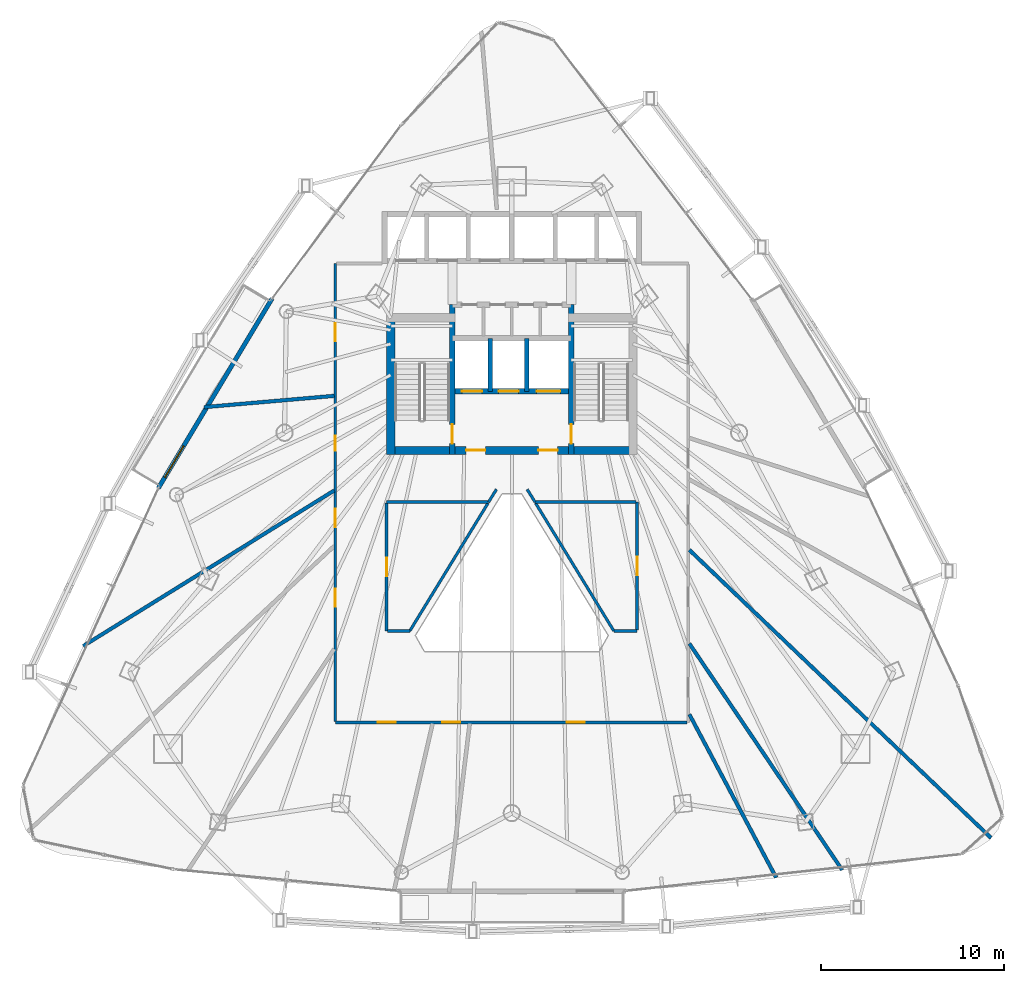
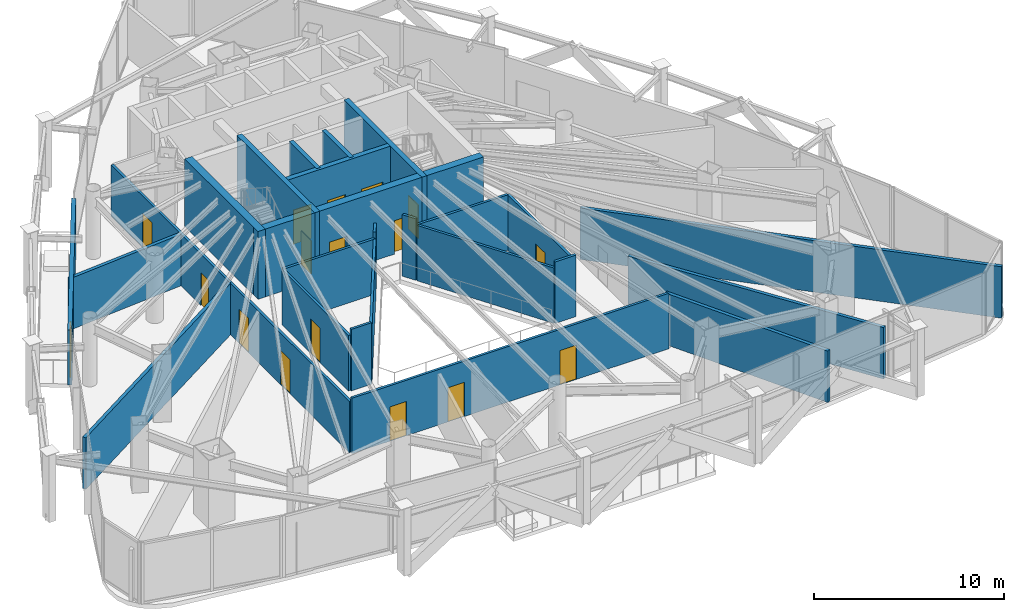
# One storey, part 28 of 33: 25 walls, 17 doors, 17 openings.
"""IFC4 building model written with IfcOpenShell, lengths in metres."""

from ifc_helpers import new_model, si_unit, direction, frame, frame_2d, origin, place, context, subcontext, project, spatial, rectangle, extrude, material, layer, layer_set, type_object, element, fill, save


model = new_model("IFC4")

# Units and contexts
model_context = context("Model", 3, precision=1e-05, world=origin(), true_north=direction((0.0, 1.0)))
body_context = subcontext(model_context, "Body", "Model", "MODEL_VIEW")
ifc_project = project(units=[si_unit("LENGTHUNIT", "METRE"), si_unit("AREAUNIT", "SQUARE_METRE"), si_unit("VOLUMEUNIT", "CUBIC_METRE"), si_unit("PLANEANGLEUNIT", "RADIAN"), si_unit("MASSUNIT", "GRAM", prefix="KILO")], contexts=[model_context])

# Site, building, storey
site_placement = place(None, origin())
site = spatial("IfcSite", under=ifc_project, at=site_placement, CompositionType="ELEMENT")
building_placement = place(site_placement, origin())
building = spatial("IfcBuilding", under=site, at=building_placement, Name="Orvanel Arch Residences", CompositionType="ELEMENT")
storey_placement = place(building_placement, frame((0.0, 0.0, 97.25)))
storey = spatial("IfcBuildingStorey", under=building, at=storey_placement, Name="L27", CompositionType="ELEMENT", Elevation=97.25)

# Wall, opening, door
ifc_material_1 = material(Name="Precast concrete N50 (50 MPa)", Category="concrete")
ifc_layer_1 = layer(ifc_material_1, 0.239990234375)
ifc_layer_set_1 = layer_set([ifc_layer_1], Name="Precast concrete N50 (50 MPa)")
wall_type_1 = type_object("IfcWallType", Name="EW-BAL-240", PredefinedType="SOLIDWALL", material=ifc_layer_set_1)
wall_1_placement = place(storey_placement, frame((19.886962890625, 34.97802734375, 0.0), z_axis=(0.0, 0.0, 1.0), x_axis=(-0.514356228613, -0.857576626365, 0.0)))
wall_1 = element("IfcWall", 1, at=wall_1_placement, inside=storey, type_object=wall_type_1, Name="L27 Balcony Threshold Wall Face 1", PredefinedType="SOLIDWALL", context=body_context, shape_type="SweptSolid", body=[
    extrude(rectangle(XDim=12.0947265625, YDim=0.239990234375, at=frame_2d((6.04736328125, 0.0))), origin(), (0.0, 0.0, 1.0), 3.513916015625),
])
opening_1_placement = place(wall_1_placement, frame((9.39697265625, 0.0, 0.0)))
opening_1 = element("IfcOpeningElement", 2, at=opening_1_placement, cuts=wall_1, Name="Opening DT-200", PredefinedType="OPENING", context=body_context, shape_type="SweptSolid", body=[
    extrude(rectangle(XDim=2.0, YDim=2.199951171875, at=frame_2d((1.0, 1.10009765625))), frame((0.0, 0.1298828125, 0.0), z_axis=(0.0, -1.0, 0.0), x_axis=(1.0, 0.0, 0.0)), (0.0, 0.0, 1.0), 0.260009765625),
])
ifc_material_2 = material(Name="Bronze-anodised aluminium AA6063-T6", Category="aluminium")
door_type_1 = type_object("IfcDoorType", Name="DR-TER-2000", OperationType="NOTDEFINED", PredefinedType="DOOR", material=ifc_material_2)
door_1_placement = place(opening_1_placement, origin())
door_1 = element("IfcDoor", 3, at=door_1_placement, inside=storey, type_object=door_type_1, Name="DR-L27-BAL-F1 L27 Planted Balcony Access Door Face 1", OperationType="SINGLE_SWING_LEFT", OverallHeight=2.199951171875, OverallWidth=2.0, PredefinedType="DOOR", context=body_context, shape_type="SweptSolid", body=[
    extrude(rectangle(XDim=2.0, YDim=2.199951171875, at=frame_2d((1.0, 1.10009765625))), frame((0.0, 0.02490234375, 0.0), z_axis=(0.0, -1.0, 0.0), x_axis=(1.0, 0.0, 0.0)), (0.0, 0.0, 1.0), 0.050048828125),
])
fill(opening_1, door_1)

# Walls
ifc_material_3 = material(Name="Concrete N50 (50 MPa)", Category="concrete")
ifc_layer_2 = layer(ifc_material_3, 0.25)
ifc_layer_set_2 = layer_set([ifc_layer_2], Name="Concrete N50 (50 MPa)")
wall_type_2 = type_object("IfcWallType", Name="SW-CORE-250", PredefinedType="SHEAR", material=ifc_layer_set_2)
for number, where, z_axis, x_axis, name in (
    (4, (31.824951171875, 29.89990234375, 0.0), (0.0, 0.0, 1.0), (0.0, 1.0, 0.0), "L27 Emergency Lift Inter-Shaft Wall F12"),
    (5, (33.824951171875, 29.89990234375, 0.0), (0.0, 0.0, 1.0), (0.0, 1.0, 0.0), "L27 Emergency Lift Inter-Shaft Wall F2G"),
):
    element("IfcWall", number, at=place(storey_placement, frame(where, z_axis=z_axis, x_axis=x_axis)), inside=storey, type_object=wall_type_2, Name=name, PredefinedType="SHEAR", context=body_context, shape_type="SweptSolid", body=[
        extrude(rectangle(XDim=2.900146484375, YDim=0.25, at=frame_2d((1.4501953125, 0.0))), origin(), (0.0, 0.0, 1.0), 4.35009765625),
    ])

# Wall, opening, door
ifc_material_4 = material(Name="Concrete S80 (80 MPa)", Category="concrete")
ifc_layer_3 = layer(ifc_material_4, 0.300048828125)
ifc_layer_set_3 = layer_set([ifc_layer_3], Name="Concrete S80 (80 MPa)")
wall_type_3 = type_object("IfcWallType", Name="SW-CORE-300", PredefinedType="SHEAR", material=ifc_layer_set_3)
wall_2_placement = place(storey_placement, frame((29.75, 26.449951171875, 0.0), z_axis=(0.0, 0.0, 1.0), x_axis=(0.0, 1.0, 0.0)))
wall_2 = element("IfcWall", 6, at=wall_2_placement, inside=storey, type_object=wall_type_3, Name="L27 West Inner Core Spine Shear Wall", PredefinedType="SHEAR", context=body_context, shape_type="SweptSolid", body=[
    extrude(rectangle(XDim=8.199951171875, YDim=0.300048828125, at=frame_2d((4.10009765625, 0.0))), origin(), (0.0, 0.0, 1.0), 4.35009765625),
])
opening_2_placement = place(wall_2_placement, frame((0.60009765625, 0.0, 0.0)))
opening_2 = element("IfcOpeningElement", 7, at=opening_2_placement, cuts=wall_2, Name="Opening DF-120", PredefinedType="OPENING", context=body_context, shape_type="SweptSolid", body=[
    extrude(rectangle(XDim=1.050048828125, YDim=2.14990234375, at=frame_2d((0.52490234375, 1.074951171875))), frame((0.0, 0.159912109375, 0.0), z_axis=(0.0, -1.0, 0.0), x_axis=(1.0, 0.0, 0.0)), (0.0, 0.0, 1.0), 0.320068359375),
])
ifc_material_5 = material(Name="Galvanised steel fire-resisting door assembly", Category="steel")
door_type_2 = type_object("IfcDoorType", Name="DR-FD120-1050", OperationType="NOTDEFINED", PredefinedType="DOOR", material=ifc_material_5)
door_2_placement = place(opening_2_placement, origin())
door_2 = element("IfcDoor", 8, at=door_2_placement, inside=storey, type_object=door_type_2, Name="DR-L27-ST1 L27 Stair 1 Fire Door", OperationType="SINGLE_SWING_LEFT", OverallHeight=2.14990234375, OverallWidth=1.050048828125, PredefinedType="DOOR", context=body_context, shape_type="SweptSolid", body=[
    extrude(rectangle(XDim=1.050048828125, YDim=2.14990234375, at=frame_2d((0.52490234375, 1.074951171875))), frame((0.0, 0.02490234375, 0.0), z_axis=(0.0, -1.0, 0.0), x_axis=(1.0, 0.0, 0.0)), (0.0, 0.0, 1.0), 0.050048828125),
])
fill(opening_2, door_2)

wall_3_placement = place(storey_placement, frame((36.25, 26.449951171875, 0.0), z_axis=(0.0, 0.0, 1.0), x_axis=(0.0, 1.0, 0.0)))
wall_3 = element("IfcWall", 9, at=wall_3_placement, inside=storey, type_object=wall_type_3, Name="L27 East Inner Core Spine Shear Wall", PredefinedType="SHEAR", context=body_context, shape_type="SweptSolid", body=[
    extrude(rectangle(XDim=8.199951171875, YDim=0.300048828125, at=frame_2d((4.10009765625, 0.0))), origin(), (0.0, 0.0, 1.0), 4.35009765625),
])
opening_3_placement = place(wall_3_placement, frame((0.60009765625, 0.0, 0.0)))
opening_3 = element("IfcOpeningElement", 10, at=opening_3_placement, cuts=wall_3, Name="Opening DF-120", PredefinedType="OPENING", context=body_context, shape_type="SweptSolid", body=[
    extrude(rectangle(XDim=1.050048828125, YDim=2.14990234375, at=frame_2d((0.52490234375, 1.074951171875))), frame((0.0, 0.159912109375, 0.0), z_axis=(0.0, -1.0, 0.0), x_axis=(1.0, 0.0, 0.0)), (0.0, 0.0, 1.0), 0.320068359375),
])
door_3_placement = place(opening_3_placement, origin())
door_3 = element("IfcDoor", 11, at=door_3_placement, inside=storey, type_object=door_type_2, Name="DR-L27-ST2 L27 Stair 2 Fire Door", OperationType="SINGLE_SWING_RIGHT", OverallHeight=2.14990234375, OverallWidth=1.050048828125, PredefinedType="DOOR", context=body_context, shape_type="SweptSolid", body=[
    extrude(rectangle(XDim=1.050048828125, YDim=2.14990234375, at=frame_2d((0.52490234375, 1.074951171875))), frame((0.0, 0.02490234375, 0.0), z_axis=(0.0, -1.0, 0.0), x_axis=(1.0, 0.0, 0.0)), (0.0, 0.0, 1.0), 0.050048828125),
])
fill(opening_3, door_3)

# Wall, openings, doors
wall_4_placement = place(storey_placement, frame((36.25, 29.89990234375, 0.0), z_axis=(0.0, 0.0, 1.0), x_axis=(-1.0, 0.0, 0.0)))
wall_4 = element("IfcWall", 12, at=wall_4_placement, inside=storey, type_object=wall_type_3, Name="L27 Emergency Lift Front Core Shear Wall", PredefinedType="SHEAR", context=body_context, shape_type="SweptSolid", body=[
    extrude(rectangle(XDim=6.5, YDim=0.300048828125, at=frame_2d((3.25, 0.0))), origin(), (0.0, 0.0, 1.0), 4.35009765625),
])
opening_4_placement = place(wall_4_placement, frame((4.875, 0.0, 0.0)))
opening_4 = element("IfcOpeningElement", 13, at=opening_4_placement, cuts=wall_4, Name="Opening LD-110", PredefinedType="OPENING", context=body_context, shape_type="SweptSolid", body=[
    extrude(rectangle(XDim=1.10009765625, YDim=2.199951171875, at=frame_2d((0.550048828125, 1.10009765625))), frame((0.0, 0.159912109375, 0.0), z_axis=(0.0, -1.0, 0.0), x_axis=(1.0, 0.0, 0.0)), (0.0, 0.0, 1.0), 0.320068359375),
])
opening_5_placement = place(wall_4_placement, frame((2.875, 0.0, 0.0)))
opening_5 = element("IfcOpeningElement", 14, at=opening_5_placement, cuts=wall_4, Name="Opening LD-110", PredefinedType="OPENING", context=body_context, shape_type="SweptSolid", body=[
    extrude(rectangle(XDim=1.10009765625, YDim=2.199951171875, at=frame_2d((0.550048828125, 1.10009765625))), frame((0.0, 0.159912109375, 0.0), z_axis=(0.0, -1.0, 0.0), x_axis=(1.0, 0.0, 0.0)), (0.0, 0.0, 1.0), 0.320068359375),
])
opening_6_placement = place(wall_4_placement, frame((0.60009765625, 0.0, 0.0)))
opening_6 = element("IfcOpeningElement", 15, at=opening_6_placement, cuts=wall_4, Name="Opening LD-130", PredefinedType="OPENING", context=body_context, shape_type="SweptSolid", body=[
    extrude(rectangle(XDim=1.300048828125, YDim=2.199951171875, at=frame_2d((0.64990234375, 1.10009765625))), frame((0.0, 0.159912109375, 0.0), z_axis=(0.0, -1.0, 0.0), x_axis=(1.0, 0.0, 0.0)), (0.0, 0.0, 1.0), 0.320068359375),
])
door_type_3 = type_object("IfcDoorType", Name="DR-LFT-1100", OperationType="NOTDEFINED", PredefinedType="DOOR", material=ifc_material_5)
door_4_placement = place(opening_4_placement, origin())
door_4 = element("IfcDoor", 16, at=door_4_placement, inside=storey, type_object=door_type_3, Name="LD-F1-L27 L27 Lift F1 Sliding Landing Door", OperationType="DOUBLE_DOOR_SLIDING", OverallHeight=2.199951171875, OverallWidth=1.10009765625, PredefinedType="DOOR", context=body_context, shape_type="SweptSolid", body=[
    extrude(rectangle(XDim=1.10009765625, YDim=2.199951171875, at=frame_2d((0.550048828125, 1.10009765625))), frame((0.0, 0.02490234375, 0.0), z_axis=(0.0, -1.0, 0.0), x_axis=(1.0, 0.0, 0.0)), (0.0, 0.0, 1.0), 0.050048828125),
])
fill(opening_4, door_4)
door_5_placement = place(opening_5_placement, origin())
door_5 = element("IfcDoor", 17, at=door_5_placement, inside=storey, type_object=door_type_3, Name="LD-F2-L27 L27 Lift F2 Sliding Landing Door", OperationType="DOUBLE_DOOR_SLIDING", OverallHeight=2.199951171875, OverallWidth=1.10009765625, PredefinedType="DOOR", context=body_context, shape_type="SweptSolid", body=[
    extrude(rectangle(XDim=1.10009765625, YDim=2.199951171875, at=frame_2d((0.550048828125, 1.10009765625))), frame((0.0, 0.02490234375, 0.0), z_axis=(0.0, -1.0, 0.0), x_axis=(1.0, 0.0, 0.0)), (0.0, 0.0, 1.0), 0.050048828125),
])
fill(opening_5, door_5)
door_type_4 = type_object("IfcDoorType", Name="DR-LFT-1300", OperationType="NOTDEFINED", PredefinedType="DOOR", material=ifc_material_5)
door_6_placement = place(opening_6_placement, origin())
door_6 = element("IfcDoor", 18, at=door_6_placement, inside=storey, type_object=door_type_4, Name="LD-G1-L27 L27 Lift G1 Sliding Landing Door", OperationType="DOUBLE_DOOR_SLIDING", OverallHeight=2.199951171875, OverallWidth=1.300048828125, PredefinedType="DOOR", context=body_context, shape_type="SweptSolid", body=[
    extrude(rectangle(XDim=1.300048828125, YDim=2.199951171875, at=frame_2d((0.64990234375, 1.10009765625))), frame((0.0, 0.02490234375, 0.0), z_axis=(0.0, -1.0, 0.0), x_axis=(1.0, 0.0, 0.0)), (0.0, 0.0, 1.0), 0.050048828125),
])
fill(opening_6, door_6)

ifc_layer_4 = layer(ifc_material_4, 0.449951171875)
ifc_layer_set_4 = layer_set([ifc_layer_4], Name="Concrete S80 (80 MPa)")
wall_type_4 = type_object("IfcWallType", Name="SW-CORE-450", PredefinedType="SHEAR", material=ifc_layer_set_4)
wall_5_placement = place(storey_placement, frame((26.14990234375, 26.675048828125, 0.0), z_axis=(0.0, 0.0, 1.0), x_axis=(1.0, 0.0, 0.0)))
wall_5 = element("IfcWall", 19, at=wall_5_placement, inside=storey, type_object=wall_type_4, Name="L27 South Core Shear Wall", PredefinedType="SHEAR", context=body_context, shape_type="SweptSolid", body=[
    extrude(rectangle(XDim=13.7001953125, YDim=0.449951171875, at=frame_2d((6.85009765625, 0.0))), origin(), (0.0, 0.0, 1.0), 4.35009765625),
])
opening_7_placement = place(wall_5_placement, frame((4.35009765625, 0.0, 0.0)))
opening_7 = element("IfcOpeningElement", 20, at=opening_7_placement, cuts=wall_5, Name="Opening DF-060", PredefinedType="OPENING", context=body_context, shape_type="SweptSolid", body=[
    extrude(rectangle(XDim=1.050048828125, YDim=2.14990234375, at=frame_2d((0.52490234375, 1.074951171875))), frame((0.0, 0.23486328125, 0.0), z_axis=(0.0, -1.0, 0.0), x_axis=(1.0, 0.0, 0.0)), (0.0, 0.0, 1.0), 0.469970703125),
])
opening_8_placement = place(wall_5_placement, frame((8.300048828125, 0.0, 0.0)))
opening_8 = element("IfcOpeningElement", 21, at=opening_8_placement, cuts=wall_5, Name="Opening DF-060", PredefinedType="OPENING", context=body_context, shape_type="SweptSolid", body=[
    extrude(rectangle(XDim=1.050048828125, YDim=2.14990234375, at=frame_2d((0.52490234375, 1.074951171875))), frame((0.0, 0.23486328125, 0.0), z_axis=(0.0, -1.0, 0.0), x_axis=(1.0, 0.0, 0.0)), (0.0, 0.0, 1.0), 0.469970703125),
])
door_type_5 = type_object("IfcDoorType", Name="DR-FD60-1050", OperationType="NOTDEFINED", PredefinedType="DOOR", material=ifc_material_5)
door_7_placement = place(opening_7_placement, origin())
door_7 = element("IfcDoor", 22, at=door_7_placement, inside=storey, type_object=door_type_5, Name="DR-L27-FFL-W L27 West Smoke Lobby Door", OperationType="SINGLE_SWING_LEFT", OverallHeight=2.14990234375, OverallWidth=1.050048828125, PredefinedType="DOOR", context=body_context, shape_type="SweptSolid", body=[
    extrude(rectangle(XDim=1.050048828125, YDim=2.14990234375, at=frame_2d((0.52490234375, 1.074951171875))), frame((0.0, 0.02490234375, 0.0), z_axis=(0.0, -1.0, 0.0), x_axis=(1.0, 0.0, 0.0)), (0.0, 0.0, 1.0), 0.050048828125),
])
fill(opening_7, door_7)
door_8_placement = place(opening_8_placement, origin())
door_8 = element("IfcDoor", 23, at=door_8_placement, inside=storey, type_object=door_type_5, Name="DR-L27-FFL-E L27 East Smoke Lobby Door", OperationType="SINGLE_SWING_RIGHT", OverallHeight=2.14990234375, OverallWidth=1.050048828125, PredefinedType="DOOR", context=body_context, shape_type="SweptSolid", body=[
    extrude(rectangle(XDim=1.050048828125, YDim=2.14990234375, at=frame_2d((0.52490234375, 1.074951171875))), frame((0.0, 0.02490234375, 0.0), z_axis=(0.0, -1.0, 0.0), x_axis=(1.0, 0.0, 0.0)), (0.0, 0.0, 1.0), 0.050048828125),
])
fill(opening_8, door_8)

# Wall
wall_6_placement = place(storey_placement, frame((26.375, 26.449951171875, 0.0), z_axis=(0.0, 0.0, 1.0), x_axis=(0.0, 1.0, 0.0)))
element("IfcWall", 24, at=wall_6_placement, inside=storey, type_object=wall_type_4, Name="L27 West Stair Shear Wall", PredefinedType="SHEAR", context=body_context, shape_type="SweptSolid", body=[
    extrude(rectangle(XDim=7.699951171875, YDim=0.449951171875, at=frame_2d((3.85009765625, 0.0))), origin(), (0.0, 0.0, 1.0), 4.35009765625),
])

# Wall, openings, doors
ifc_material_6 = material(Name="Fire-rated plasterboard lined steel stud partition", Category="steel")
ifc_layer_5 = layer(ifc_material_6, 0.14990234375)
ifc_layer_set_5 = layer_set([ifc_layer_5], Name="Fire-rated plasterboard lined steel stud partition")
wall_type_5 = type_object("IfcWallType", Name="W-COR-150", PredefinedType="PARTITIONING", material=ifc_layer_set_5)
wall_7_placement = place(storey_placement, frame((42.590087890625, 11.800048828125, 0.0), z_axis=(0.0, 0.0, 1.0), x_axis=(-1.0, 0.0, 0.0)))
wall_7 = element("IfcWall", 25, at=wall_7_placement, inside=storey, type_object=wall_type_5, Name="L27 Community Corridor Wall", PredefinedType="PARTITIONING", context=body_context, shape_type="SweptSolid", body=[
    extrude(rectangle(XDim=19.239990234375, YDim=0.14990234375, at=frame_2d((9.6201171875, 0.0))), origin(), (0.0, 0.0, 1.0), 3.55908203125),
])
opening_9_placement = place(wall_7_placement, frame((5.593994140625, 0.0, 0.0)))
opening_9 = element("IfcOpeningElement", 26, at=opening_9_placement, cuts=wall_7, Name="Opening DP-100", PredefinedType="OPENING", context=body_context, shape_type="SweptSolid", body=[
    extrude(rectangle(XDim=1.0, YDim=2.199951171875, at=frame_2d((0.5, 1.10009765625))), frame((0.0, 0.0849609375, 0.0), z_axis=(0.0, -1.0, 0.0), x_axis=(1.0, 0.0, 0.0)), (0.0, 0.0, 1.0), 0.169921875),
])
opening_10_placement = place(wall_7_placement, frame((12.39990234375, 0.0, 0.0)))
opening_10 = element("IfcOpeningElement", 27, at=opening_10_placement, cuts=wall_7, Name="Opening DP-100", PredefinedType="OPENING", context=body_context, shape_type="SweptSolid", body=[
    extrude(rectangle(XDim=1.0, YDim=2.199951171875, at=frame_2d((0.5, 1.10009765625))), frame((0.0, 0.0849609375, 0.0), z_axis=(0.0, -1.0, 0.0), x_axis=(1.0, 0.0, 0.0)), (0.0, 0.0, 1.0), 0.169921875),
])
opening_11_placement = place(wall_7_placement, frame((15.924072265625, 0.0, 0.0)))
opening_11 = element("IfcOpeningElement", 28, at=opening_11_placement, cuts=wall_7, Name="Opening DP-100", PredefinedType="OPENING", context=body_context, shape_type="SweptSolid", body=[
    extrude(rectangle(XDim=1.0, YDim=2.199951171875, at=frame_2d((0.5, 1.10009765625))), frame((0.0, 0.0849609375, 0.0), z_axis=(0.0, -1.0, 0.0), x_axis=(1.0, 0.0, 0.0)), (0.0, 0.0, 1.0), 0.169921875),
])
ifc_material_7 = material(Name="Solid-core European oak veneer fire door leaf", Category="wood")
door_type_6 = type_object("IfcDoorType", Name="DR-POD-1000", OperationType="NOTDEFINED", PredefinedType="DOOR", material=ifc_material_7)
door_9_placement = place(opening_9_placement, origin())
door_9 = element("IfcDoor", 29, at=door_9_placement, inside=storey, type_object=door_type_6, Name="DR-L27-OF2-3 L27 Co-Working Office 2 Door", OperationType="SINGLE_SWING_LEFT", OverallHeight=2.199951171875, OverallWidth=1.0, PredefinedType="DOOR", context=body_context, shape_type="SweptSolid", body=[
    extrude(rectangle(XDim=1.0, YDim=2.199951171875, at=frame_2d((0.5, 1.10009765625))), frame((0.0, 0.02490234375, 0.0), z_axis=(0.0, -1.0, 0.0), x_axis=(1.0, 0.0, 0.0)), (0.0, 0.0, 1.0), 0.050048828125),
])
fill(opening_9, door_9)
door_10_placement = place(opening_10_placement, origin())
door_10 = element("IfcDoor", 30, at=door_10_placement, inside=storey, type_object=door_type_6, Name="DR-L27-CAR-5 L27 Allied Health Therapy Suite Door", OperationType="SINGLE_SWING_LEFT", OverallHeight=2.199951171875, OverallWidth=1.0, PredefinedType="DOOR", context=body_context, shape_type="SweptSolid", body=[
    extrude(rectangle(XDim=1.0, YDim=2.199951171875, at=frame_2d((0.5, 1.10009765625))), frame((0.0, 0.02490234375, 0.0), z_axis=(0.0, -1.0, 0.0), x_axis=(1.0, 0.0, 0.0)), (0.0, 0.0, 1.0), 0.050048828125),
])
fill(opening_10, door_10)
door_11_placement = place(opening_11_placement, origin())
door_11 = element("IfcDoor", 31, at=door_11_placement, inside=storey, type_object=door_type_6, Name="DR-L27-STRX11-11 L27 Community Equipment Store 11 Door", OperationType="SINGLE_SWING_LEFT", OverallHeight=2.199951171875, OverallWidth=1.0, PredefinedType="DOOR", context=body_context, shape_type="SweptSolid", body=[
    extrude(rectangle(XDim=1.0, YDim=2.199951171875, at=frame_2d((0.5, 1.10009765625))), frame((0.0, 0.02490234375, 0.0), z_axis=(0.0, -1.0, 0.0), x_axis=(1.0, 0.0, 0.0)), (0.0, 0.0, 1.0), 0.050048828125),
])
fill(opening_11, door_11)

wall_8_placement = place(storey_placement, frame((23.35009765625, 11.860107421875, 0.0), z_axis=(0.0, 0.0, 1.0), x_axis=(0.0, 1.0, 0.0)))
wall_8 = element("IfcWall", 32, at=wall_8_placement, inside=storey, type_object=wall_type_5, Name="L27 Community Corridor Wall", PredefinedType="PARTITIONING", context=body_context, shape_type="SweptSolid", body=[
    extrude(rectangle(XDim=25.039794921875, YDim=0.14990234375, at=frame_2d((12.52001953125, 0.0))), origin(), (0.0, 0.0, 1.0), 3.302978515625),
])
opening_12_placement = place(wall_8_placement, frame((14.802978515625, 0.0, 0.0)))
opening_12 = element("IfcOpeningElement", 33, at=opening_12_placement, cuts=wall_8, Name="Opening DW-082", PredefinedType="OPENING", context=body_context, shape_type="SweptSolid", body=[
    extrude(rectangle(XDim=0.820068359375, YDim=2.10009765625, at=frame_2d((0.41015625, 1.050048828125))), frame((0.0, 0.0849609375, 0.0), z_axis=(0.0, -1.0, 0.0), x_axis=(1.0, 0.0, 0.0)), (0.0, 0.0, 1.0), 0.169921875),
])
opening_13_placement = place(wall_8_placement, frame((20.77099609375, 0.0, 0.0)))
opening_13 = element("IfcOpeningElement", 34, at=opening_13_placement, cuts=wall_8, Name="Opening DP-100", PredefinedType="OPENING", context=body_context, shape_type="SweptSolid", body=[
    extrude(rectangle(XDim=1.0, YDim=2.199951171875, at=frame_2d((0.5, 1.10009765625))), frame((0.0, 0.0849609375, 0.0), z_axis=(0.0, -1.0, 0.0), x_axis=(1.0, 0.0, 0.0)), (0.0, 0.0, 1.0), 0.169921875),
])
opening_14_placement = place(wall_8_placement, frame((10.613037109375, 0.0, 0.0)))
opening_14 = element("IfcOpeningElement", 35, at=opening_14_placement, cuts=wall_8, Name="Opening DP-100", PredefinedType="OPENING", context=body_context, shape_type="SweptSolid", body=[
    extrude(rectangle(XDim=1.0, YDim=2.199951171875, at=frame_2d((0.5, 1.10009765625))), frame((0.0, 0.0849609375, 0.0), z_axis=(0.0, -1.0, 0.0), x_axis=(1.0, 0.0, 0.0)), (0.0, 0.0, 1.0), 0.169921875),
])
opening_15_placement = place(wall_8_placement, frame((6.257080078125, 0.0, 0.0)))
opening_15 = element("IfcOpeningElement", 36, at=opening_15_placement, cuts=wall_8, Name="Opening DP-100", PredefinedType="OPENING", context=body_context, shape_type="SweptSolid", body=[
    extrude(rectangle(XDim=1.0, YDim=2.199951171875, at=frame_2d((0.5, 1.10009765625))), frame((0.0, 0.0849609375, 0.0), z_axis=(0.0, -1.0, 0.0), x_axis=(1.0, 0.0, 0.0)), (0.0, 0.0, 1.0), 0.169921875),
])
door_12_placement = place(opening_13_placement, origin())
door_12 = element("IfcDoor", 37, at=door_12_placement, inside=storey, type_object=door_type_6, Name="DR-L27-KIT-1 L27 Community Catering Kitchen Door", OperationType="SINGLE_SWING_LEFT", OverallHeight=2.199951171875, OverallWidth=1.0, PredefinedType="DOOR", context=body_context, shape_type="SweptSolid", body=[
    extrude(rectangle(XDim=1.0, YDim=2.199951171875, at=frame_2d((0.5, 1.10009765625))), frame((0.0, 0.02490234375, 0.0), z_axis=(0.0, -1.0, 0.0), x_axis=(1.0, 0.0, 0.0)), (0.0, 0.0, 1.0), 0.050048828125),
])
fill(opening_13, door_12)
door_13_placement = place(opening_14_placement, origin())
door_13 = element("IfcDoor", 38, at=door_13_placement, inside=storey, type_object=door_type_6, Name="DR-L27-STRX10-10 L27 Community Equipment Store 10 Door", OperationType="SINGLE_SWING_LEFT", OverallHeight=2.199951171875, OverallWidth=1.0, PredefinedType="DOOR", context=body_context, shape_type="SweptSolid", body=[
    extrude(rectangle(XDim=1.0, YDim=2.199951171875, at=frame_2d((0.5, 1.10009765625))), frame((0.0, 0.02490234375, 0.0), z_axis=(0.0, -1.0, 0.0), x_axis=(1.0, 0.0, 0.0)), (0.0, 0.0, 1.0), 0.050048828125),
])
fill(opening_14, door_13)
door_14_placement = place(opening_15_placement, origin())
door_14 = element("IfcDoor", 39, at=door_14_placement, inside=storey, type_object=door_type_6, Name="DR-L27-STRX13-13 L27 Community Equipment Store 13 Door", OperationType="SINGLE_SWING_LEFT", OverallHeight=2.199951171875, OverallWidth=1.0, PredefinedType="DOOR", context=body_context, shape_type="SweptSolid", body=[
    extrude(rectangle(XDim=1.0, YDim=2.199951171875, at=frame_2d((0.5, 1.10009765625))), frame((0.0, 0.02490234375, 0.0), z_axis=(0.0, -1.0, 0.0), x_axis=(1.0, 0.0, 0.0)), (0.0, 0.0, 1.0), 0.050048828125),
])
fill(opening_15, door_14)
door_type_7 = type_object("IfcDoorType", Name="DR-WET-820", OperationType="NOTDEFINED", PredefinedType="DOOR", material=ifc_material_7)
door_15_placement = place(opening_12_placement, origin())
door_15 = element("IfcDoor", 40, at=door_15_placement, inside=storey, type_object=door_type_7, Name="DR-L27-WC-0 L27 Accessible Toilets Door", OperationType="SINGLE_SWING_LEFT", OverallHeight=2.10009765625, OverallWidth=0.820068359375, PredefinedType="DOOR", context=body_context, shape_type="SweptSolid", body=[
    extrude(rectangle(XDim=0.820068359375, YDim=2.10009765625, at=frame_2d((0.41015625, 1.050048828125))), frame((0.0, 0.02490234375, 0.0), z_axis=(0.0, -1.0, 0.0), x_axis=(1.0, 0.0, 0.0)), (0.0, 0.0, 1.0), 0.050048828125),
])
fill(opening_12, door_15)

# Walls
wall_9_placement = place(storey_placement, frame((32.160888671875, 24.547119140625, 0.0), z_axis=(0.0, 0.0, 1.0), x_axis=(-0.526703073303, -0.850049335376, 0.0)))
element("IfcWall", 41, at=wall_9_placement, inside=storey, type_object=wall_type_5, Name="L27 Community Corridor Wall", PredefinedType="PARTITIONING", context=body_context, shape_type="SweptSolid", body=[
    extrude(rectangle(XDim=0.820068359375, YDim=0.14990234375, at=frame_2d((0.41015625, 0.0))), origin(), (0.0, 0.0, 1.0), 3.949951171875),
])
wall_10_placement = place(storey_placement, frame((31.72900390625, 23.85009765625, 0.0), z_axis=(0.0, 0.0, 1.0), x_axis=(-1.0, 0.0, 0.0)))
element("IfcWall", 42, at=wall_10_placement, inside=storey, type_object=wall_type_5, Name="L27 Community Corridor Wall", PredefinedType="PARTITIONING", context=body_context, shape_type="SweptSolid", body=[
    extrude(rectangle(XDim=5.5791015625, YDim=0.14990234375, at=frame_2d((2.78955078125, 0.0))), origin(), (0.0, 0.0, 1.0), 3.55908203125),
])

# Wall, opening, door
wall_11_placement = place(storey_placement, frame((26.14990234375, 23.7900390625, 0.0), z_axis=(0.0, 0.0, 1.0), x_axis=(0.0, -1.0, 0.0)))
wall_11 = element("IfcWall", 43, at=wall_11_placement, inside=storey, type_object=wall_type_5, Name="L27 Community Corridor Wall", PredefinedType="PARTITIONING", context=body_context, shape_type="SweptSolid", body=[
    extrude(rectangle(XDim=6.989990234375, YDim=0.14990234375, at=frame_2d((3.4951171875, 0.0))), origin(), (0.0, 0.0, 1.0), 3.55908203125),
])
opening_16_placement = place(wall_11_placement, frame((2.9951171875, 0.0, 0.0)))
opening_16 = element("IfcOpeningElement", 44, at=opening_16_placement, cuts=wall_11, Name="Opening DP-100", PredefinedType="OPENING", context=body_context, shape_type="SweptSolid", body=[
    extrude(rectangle(XDim=1.0, YDim=2.199951171875, at=frame_2d((0.5, 1.10009765625))), frame((0.0, 0.0849609375, 0.0), z_axis=(0.0, -1.0, 0.0), x_axis=(1.0, 0.0, 0.0)), (0.0, 0.0, 1.0), 0.169921875),
])
door_16_placement = place(opening_16_placement, origin())
door_16 = element("IfcDoor", 45, at=door_16_placement, inside=storey, type_object=door_type_6, Name="DR-L27-LNG-6 L27 Resident Reading Lounge Door", OperationType="SINGLE_SWING_LEFT", OverallHeight=2.199951171875, OverallWidth=1.0, PredefinedType="DOOR", context=body_context, shape_type="SweptSolid", body=[
    extrude(rectangle(XDim=1.0, YDim=2.199951171875, at=frame_2d((0.5, 1.10009765625))), frame((0.0, 0.02490234375, 0.0), z_axis=(0.0, -1.0, 0.0), x_axis=(1.0, 0.0, 0.0)), (0.0, 0.0, 1.0), 0.050048828125),
])
fill(opening_16, door_16)

# Walls
wall_12_placement = place(storey_placement, frame((26.2099609375, 16.800048828125, 0.0), z_axis=(0.0, 0.0, 1.0), x_axis=(1.0, 0.0, 0.0)))
element("IfcWall", 46, at=wall_12_placement, inside=storey, type_object=wall_type_5, Name="L27 Community Corridor Wall", PredefinedType="PARTITIONING", context=body_context, shape_type="SweptSolid", body=[
    extrude(rectangle(XDim=1.208984375, YDim=0.14990234375, at=frame_2d((0.6044921875, 0.0))), origin(), (0.0, 0.0, 1.0), 3.949951171875),
])
wall_13_placement = place(storey_placement, frame((38.5810546875, 16.800048828125, 0.0), z_axis=(0.0, 0.0, 1.0), x_axis=(1.0, 0.0, 0.0)))
element("IfcWall", 47, at=wall_13_placement, inside=storey, type_object=wall_type_5, Name="L27 Community Corridor Wall", PredefinedType="PARTITIONING", context=body_context, shape_type="SweptSolid", body=[
    extrude(rectangle(XDim=1.26904296875, YDim=0.14990234375, at=frame_2d((0.634521484375, 0.0))), origin(), (0.0, 0.0, 1.0), 3.949951171875),
])

# Wall, opening, door
wall_14_placement = place(storey_placement, frame((39.85009765625, 16.860107421875, 0.0), z_axis=(0.0, 0.0, 1.0), x_axis=(0.0, 1.0, 0.0)))
wall_14 = element("IfcWall", 48, at=wall_14_placement, inside=storey, type_object=wall_type_5, Name="L27 Community Corridor Wall", PredefinedType="PARTITIONING", context=body_context, shape_type="SweptSolid", body=[
    extrude(rectangle(XDim=6.989990234375, YDim=0.14990234375, at=frame_2d((3.4951171875, 0.0))), origin(), (0.0, 0.0, 1.0), 3.55908203125),
])
opening_17_placement = place(wall_14_placement, frame((2.9951171875, 0.0, 0.0)))
opening_17 = element("IfcOpeningElement", 49, at=opening_17_placement, cuts=wall_14, Name="Opening DP-100", PredefinedType="OPENING", context=body_context, shape_type="SweptSolid", body=[
    extrude(rectangle(XDim=1.0, YDim=2.199951171875, at=frame_2d((0.5, 1.10009765625))), frame((0.0, 0.0849609375, 0.0), z_axis=(0.0, -1.0, 0.0), x_axis=(1.0, 0.0, 0.0)), (0.0, 0.0, 1.0), 0.169921875),
])
door_17_placement = place(opening_17_placement, origin())
door_17 = element("IfcDoor", 50, at=door_17_placement, inside=storey, type_object=door_type_6, Name="DR-L27-STU-7 L27 Resident Study Room Door", OperationType="SINGLE_SWING_LEFT", OverallHeight=2.199951171875, OverallWidth=1.0, PredefinedType="DOOR", context=body_context, shape_type="SweptSolid", body=[
    extrude(rectangle(XDim=1.0, YDim=2.199951171875, at=frame_2d((0.5, 1.10009765625))), frame((0.0, 0.02490234375, 0.0), z_axis=(0.0, -1.0, 0.0), x_axis=(1.0, 0.0, 0.0)), (0.0, 0.0, 1.0), 0.050048828125),
])
fill(opening_17, door_17)

# Walls
wall_15_placement = place(storey_placement, frame((39.7900390625, 23.85009765625, 0.0), z_axis=(0.0, 0.0, 1.0), x_axis=(-1.0, 0.0, 0.0)))
element("IfcWall", 51, at=wall_15_placement, inside=storey, type_object=wall_type_5, Name="L27 Community Corridor Wall", PredefinedType="PARTITIONING", context=body_context, shape_type="SweptSolid", body=[
    extrude(rectangle(XDim=5.51904296875, YDim=0.14990234375, at=frame_2d((2.759521484375, 0.0))), origin(), (0.0, 0.0, 1.0), 3.55908203125),
])
wall_16_placement = place(storey_placement, frame((34.27099609375, 23.85009765625, 0.0), z_axis=(0.0, 0.0, 1.0), x_axis=(-0.526703073303, 0.850049335376, 0.0)))
element("IfcWall", 52, at=wall_16_placement, inside=storey, type_object=wall_type_5, Name="L27 Community Corridor Wall", PredefinedType="PARTITIONING", context=body_context, shape_type="SweptSolid", body=[
    extrude(rectangle(XDim=0.820068359375, YDim=0.14990234375, at=frame_2d((0.41015625, 0.0))), origin(), (0.0, 0.0, 1.0), 3.949951171875),
])
for number, where, z_axis, x_axis, name in (
    (53, (27.4189453125, 16.798095703125, 0.0), (0.0, 0.0, 1.0), (0.522000444848, 0.85294521253, 0.0), "L27 Atrium Glazed Wall"),
    (54, (34.302001953125, 23.7900390625, 0.0), (0.0, 0.0, 1.0), (0.522000444848, -0.85294521253, 0.0), "L27 Atrium Glazed Wall"),
):
    element("IfcWall", number, at=place(storey_placement, frame(where, z_axis=z_axis, x_axis=x_axis)), inside=storey, type_object=wall_type_5, Name=name, PredefinedType="PARTITIONING", context=body_context, shape_type="SweptSolid", body=[
        extrude(rectangle(XDim=8.197509765625, YDim=0.14990234375, at=frame_2d((4.0986328125, 0.0))), origin(), (0.0, 0.0, 1.0), 3.55908203125),
    ])
ifc_layer_6 = layer(ifc_material_6, 0.199951171875)
ifc_layer_set_6 = layer_set([ifc_layer_6], Name="Fire-rated plasterboard lined steel stud partition")
wall_type_6 = type_object("IfcWallType", Name="W-DEM-200", PredefinedType="PARTITIONING", material=ifc_layer_set_6)
wall_17_placement = place(storey_placement, frame((42.7099609375, 12.239990234375, 0.0), z_axis=(0.0, 0.0, 1.0), x_axis=(0.469465241786, -0.882950953765, 0.0)))
element("IfcWall", 55, at=wall_17_placement, inside=storey, type_object=wall_type_6, Name="L27 Amenity Wall", PredefinedType="PARTITIONING", context=body_context, shape_type="SweptSolid", body=[
    extrude(rectangle(XDim=10.11376953125, YDim=0.199951171875, at=frame_2d((5.056884765625, 0.0))), origin(), (0.0, 0.0, 1.0), 3.302978515625),
])
wall_18_placement = place(storey_placement, frame((59.2080078125, 5.48193359375, 0.0), z_axis=(0.0, 0.0, 1.0), x_axis=(-0.723336103009, 0.690496113012, 0.0)))
element("IfcWall", 56, at=wall_18_placement, inside=storey, type_object=wall_type_6, Name="L27 Amenity Wall", PredefinedType="PARTITIONING", context=body_context, shape_type="SweptSolid", body=[
    extrude(rectangle(XDim=22.808349609375, YDim=0.199951171875, at=frame_2d((11.404296875, 0.0))), origin(), (0.0, 0.0, 1.0), 3.302978515625),
])
wall_19_placement = place(storey_placement, frame((51.070068359375, 3.72607421875, 0.0), z_axis=(0.0, 0.0, 1.0), x_axis=(-0.559452932488, 0.828862121424, 0.0)))
element("IfcWall", 57, at=wall_19_placement, inside=storey, type_object=wall_type_6, Name="L27 Amenity Wall", PredefinedType="PARTITIONING", context=body_context, shape_type="SweptSolid", body=[
    extrude(rectangle(XDim=14.943359375, YDim=0.199951171875, at=frame_2d((7.4716796875, 0.0))), origin(), (0.0, 0.0, 1.0), 3.302978515625),
])
wall_20_placement = place(storey_placement, frame((23.2900390625, 29.657958984375, 0.0), z_axis=(0.0, 0.0, 1.0), x_axis=(-0.996259682117, -0.086409755164, 0.0)))
element("IfcWall", 58, at=wall_20_placement, inside=storey, type_object=wall_type_6, Name="L27 Amenity Wall", PredefinedType="PARTITIONING", context=body_context, shape_type="SweptSolid", body=[
    extrude(rectangle(XDim=7.1396484375, YDim=0.199951171875, at=frame_2d((3.56982421875, 0.0))), origin(), (0.0, 0.0, 1.0), 3.302978515625),
])
wall_21_placement = place(storey_placement, frame((9.56103515625, 15.97802734375, 0.0), z_axis=(0.0, 0.0, 1.0), x_axis=(0.850072438561, 0.526665785103, 0.0)))
element("IfcWall", 59, at=wall_21_placement, inside=storey, type_object=wall_type_6, Name="L27 Amenity Wall", PredefinedType="PARTITIONING", context=body_context, shape_type="SweptSolid", body=[
    extrude(rectangle(XDim=16.150390625, YDim=0.199951171875, at=frame_2d((8.0751953125, 0.0))), origin(), (0.0, 0.0, 1.0), 3.302978515625),
])

save(model, "model.ifc")
